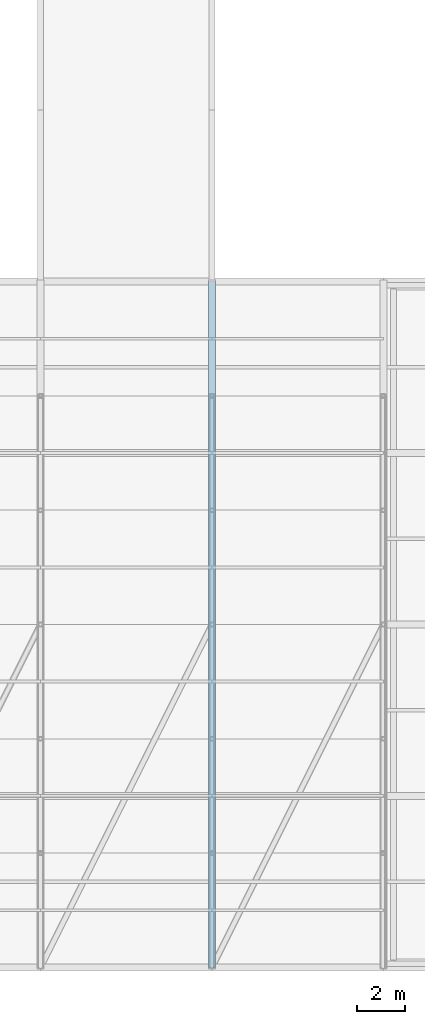
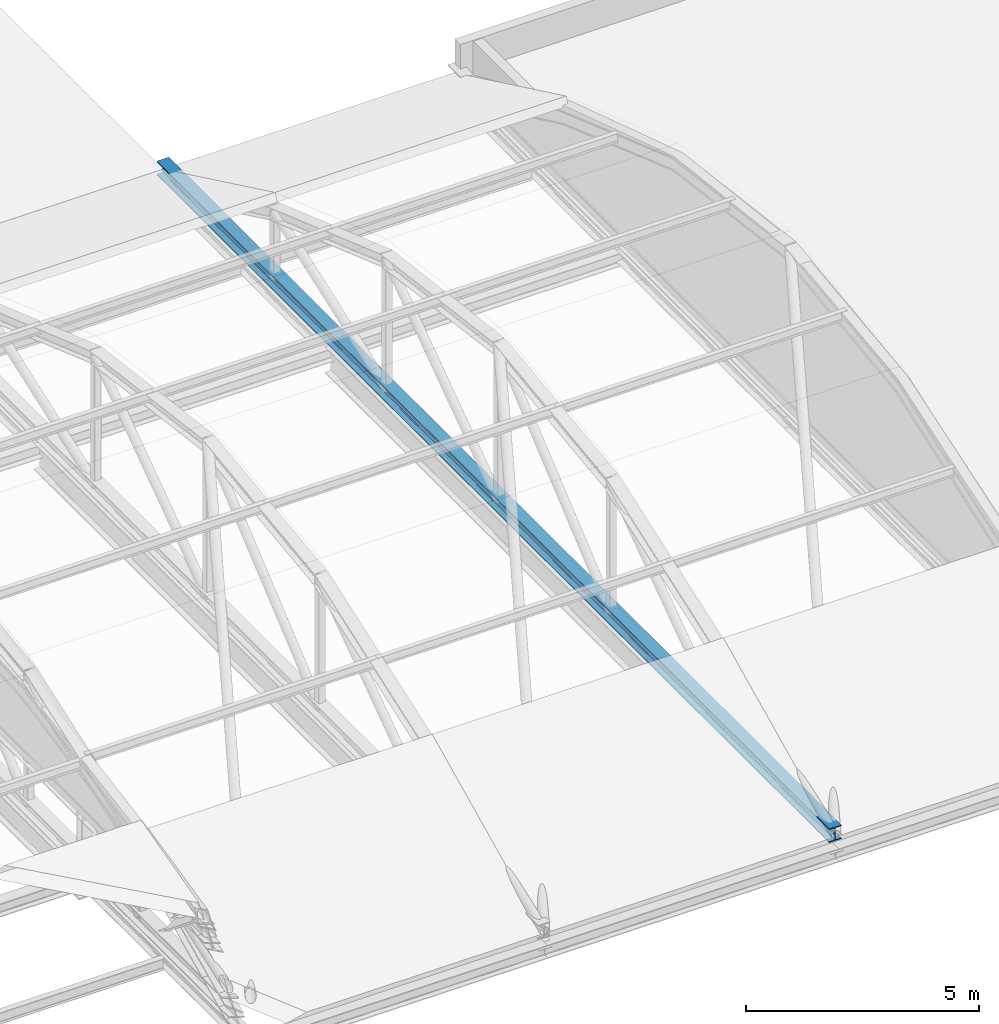
# One storey, part 22 of 103: 1 member.
"""IFC4 building model written with IfcOpenShell, lengths in metres."""

from ifc_helpers import new_model, si_unit, direction, frame, origin, origin_2d, place, context, subcontext, project, spatial, i_section, extrude, material, material_profile, profile_set, type_object, element, save


model = new_model("IFC4")

# Units and contexts
model_context = context("Model", 3, precision=1e-05, world=origin(), true_north=direction((0.0, 1.0)))
body_context = subcontext(model_context, "Body", "Model", "MODEL_VIEW")
ifc_project = project(units=[si_unit("LENGTHUNIT", "METRE"), si_unit("AREAUNIT", "SQUARE_METRE"), si_unit("VOLUMEUNIT", "CUBIC_METRE"), si_unit("PLANEANGLEUNIT", "RADIAN"), si_unit("MASSUNIT", "GRAM", prefix="KILO")], contexts=[model_context])

# Site, building, storey
site_placement = place(None, origin())
site = spatial("IfcSite", under=ifc_project, at=site_placement, CompositionType="ELEMENT")
building_placement = place(site_placement, origin())
building = spatial("IfcBuilding", under=site, at=building_placement, Name="Zlatovets Crest Museum", CompositionType="ELEMENT")
storey_placement = place(building_placement, frame((0.0, 0.0, 12.89990234375)))
storey = spatial("IfcBuildingStorey", under=building, at=storey_placement, Name="L03", CompositionType="ELEMENT", Elevation=12.89990234375)

# Member
ifc_material = material(Name="Structural steel S355J2", Category="steel")
ifc_material_profile = material_profile(ifc_material, i_section(OverallWidth=0.300048828125, OverallDepth=0.360107421875, WebThickness=0.012451171875, FlangeThickness=0.0224609375, FilletRadius=0.027099609375, at=origin_2d()), Name="HEB 360")
ifc_profile_set = profile_set([ifc_material_profile], Name="Structural steel S355J2")
member_type = type_object("IfcMemberType", Name="Member_TM-01", PredefinedType="CHORD", material=ifc_profile_set)
member_placement = place(storey_placement, frame((21.60009765625, 0.0, 0.080078125), z_axis=(0.0, 1.0, 0.0), x_axis=(-1.0, 0.0, 0.0)))
element("IfcMember", 1, at=member_placement, inside=storey, type_object=member_type, Name="V3 Art Nouveau Barrel Vault Tie Chord", PredefinedType="CHORD", context=body_context, shape_type="SweptSolid", body=[
    extrude(i_section(OverallWidth=0.300048828125, OverallDepth=0.360107421875, WebThickness=0.012451171875, FlangeThickness=0.0224609375, FilletRadius=0.027099609375, at=origin_2d()), origin(), (0.0, 0.0, 1.0), 28.800048828125),
])

save(model, "model.ifc")
